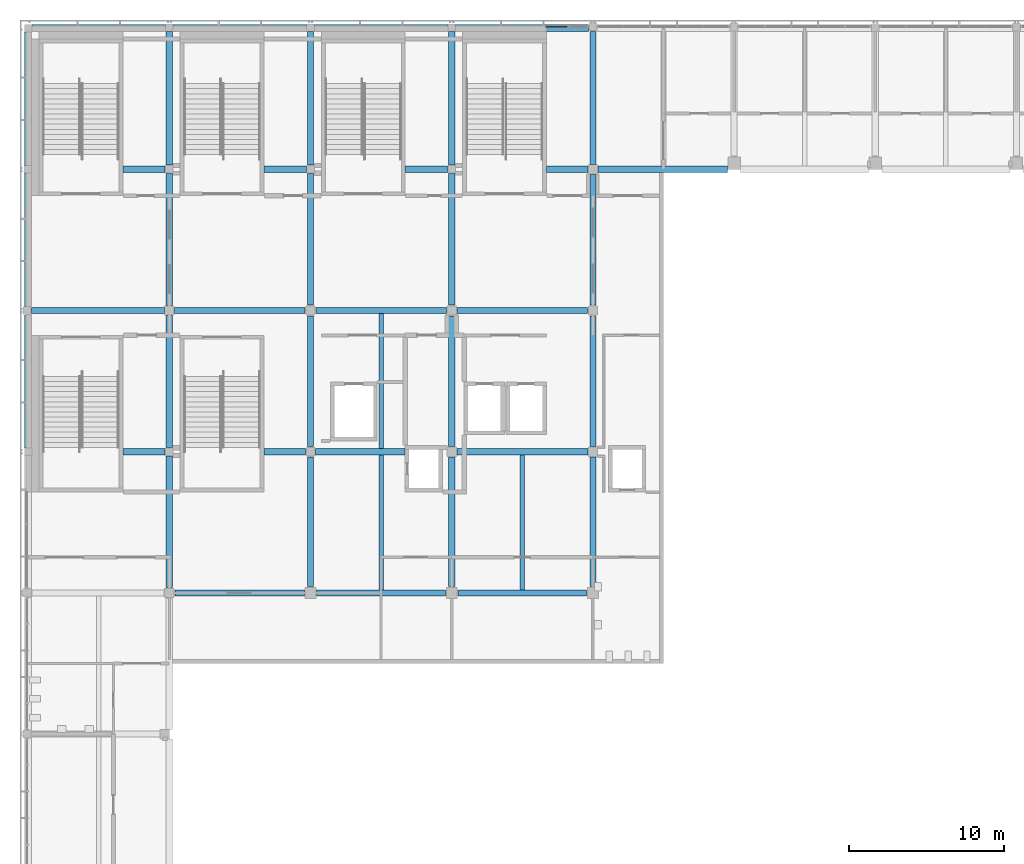
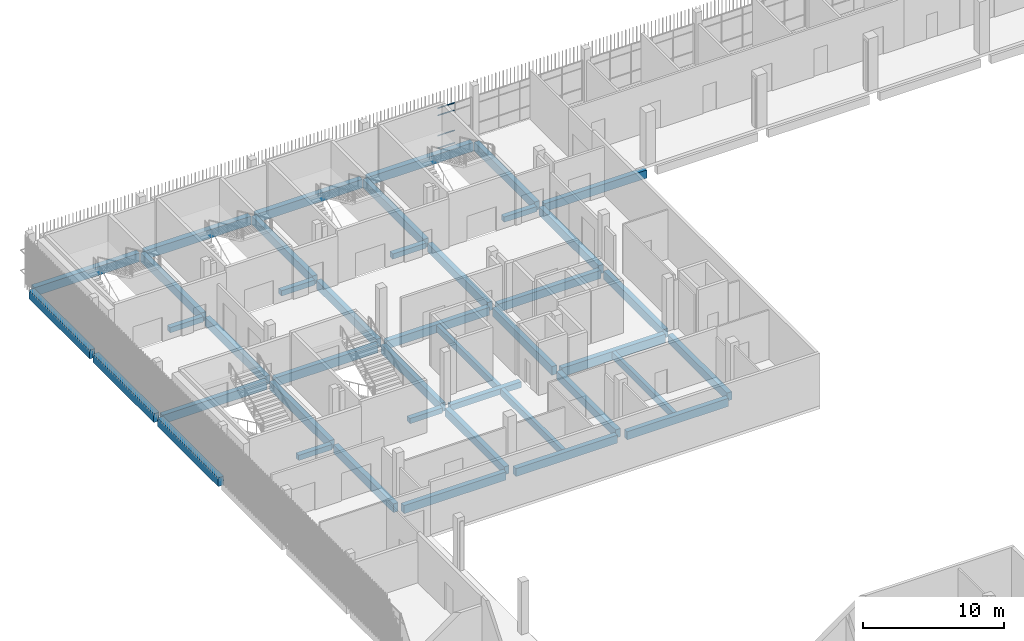
# One storey, part 31 of 124: 42 beams, 4 members, 1 element without a shape of its own.
"""IFC4 building model written with IfcOpenShell, lengths in metres."""

from ifc_helpers import new_model, si_unit, direction, frame, origin, origin_2d, place, context, subcontext, project, spatial, rectangle, hollow_rectangle, extrude, material, layer, layer_set, material_profile, profile_set, type_object, element, aggregate, save


model = new_model("IFC4")

# Units and contexts
model_context = context("Model", 3, precision=1e-05, world=origin(), true_north=direction((0.0, 1.0)))
body_context = subcontext(model_context, "Body", "Model", "MODEL_VIEW")
ifc_project = project(units=[si_unit("LENGTHUNIT", "METRE"), si_unit("AREAUNIT", "SQUARE_METRE"), si_unit("VOLUMEUNIT", "CUBIC_METRE"), si_unit("PLANEANGLEUNIT", "RADIAN"), si_unit("MASSUNIT", "GRAM", prefix="KILO")], contexts=[model_context])

# Site, building, storey
site_placement = place(None, origin())
site = spatial("IfcSite", under=ifc_project, at=site_placement, CompositionType="ELEMENT")
building_placement = place(site_placement, origin())
building = spatial("IfcBuilding", under=site, at=building_placement, Name="Shirokan Park Arena", CompositionType="ELEMENT")
storey_placement = place(building_placement, frame((0.0, 0.0, 20.02001953125)))
storey = spatial("IfcBuildingStorey", under=building, at=storey_placement, Name="L04", CompositionType="ELEMENT", Elevation=20.02001953125)

# Beams
ifc_material_1 = material(Name="Concrete C35", Category="concrete")
ifc_material_profile_1 = material_profile(ifc_material_1, rectangle(XDim=0.39990234375, YDim=0.5, at=origin_2d()), Name="400x500")
ifc_profile_set_1 = profile_set([ifc_material_profile_1], Name="Concrete C35")
beam_type_1 = type_object("IfcBeamType", Name="RC girder 400x500", PredefinedType="BEAM", material=ifc_profile_set_1)
beam_1_placement = place(storey_placement, frame((18.525146484375, 81.89990234375, -0.5), z_axis=(1.0, 0.0, 0.0), x_axis=(0.0, 1.0, 0.0)))
element("IfcBeam", 1, at=beam_1_placement, inside=storey, type_object=beam_type_1, Name="Girder 3K-4K L04", PredefinedType="BEAM", context=body_context, shape_type="SweptSolid", body=[
    extrude(rectangle(XDim=0.39990234375, YDim=0.5, at=origin_2d()), origin(), (0.0, 0.0, 1.0), 5.77490234375),
])
ifc_material_profile_2 = material_profile(ifc_material_1, rectangle(XDim=0.39990234375, YDim=0.699951171875, at=origin_2d()), Name="400x700")
ifc_profile_set_2 = profile_set([ifc_material_profile_2], Name="Concrete C35")
beam_type_2 = type_object("IfcBeamType", Name="RC girder 400x700", PredefinedType="BEAM", material=ifc_profile_set_2)
beam_2_placement = place(storey_placement, frame((9.4501953125, 72.800048828125, -0.60009765625), z_axis=(1.0, 0.0, 0.0), x_axis=(0.0, 1.0, 0.0)))
element("IfcBeam", 2, at=beam_2_placement, inside=storey, type_object=beam_type_2, Name="Girder 2J-3J L04", PredefinedType="BEAM", context=body_context, shape_type="SweptSolid", body=[
    extrude(rectangle(XDim=0.39990234375, YDim=0.699951171875, at=origin_2d()), origin(), (0.0, 0.0, 1.0), 8.349609375),
])
beam_3_placement = place(storey_placement, frame((18.60009765625, 72.800048828125, -0.60009765625), z_axis=(1.0, 0.0, 0.0), x_axis=(0.0, 1.0, 0.0)))
element("IfcBeam", 3, at=beam_3_placement, inside=storey, type_object=beam_type_2, Name="Girder 3J-4J L04", PredefinedType="BEAM", context=body_context, shape_type="SweptSolid", body=[
    extrude(rectangle(XDim=0.39990234375, YDim=0.699951171875, at=origin_2d()), origin(), (0.0, 0.0, 1.0), 8.2998046875),
])
beam_4_placement = place(storey_placement, frame((18.550048828125, 91.0, -0.60009765625), z_axis=(1.0, 0.0, 0.0), x_axis=(0.0, 1.0, 0.0)))
element("IfcBeam", 4, at=beam_4_placement, inside=storey, type_object=beam_type_2, Name="Girder 3L-4L L04", PredefinedType="BEAM", context=body_context, shape_type="SweptSolid", body=[
    extrude(rectangle(XDim=0.39990234375, YDim=0.699951171875, at=origin_2d()), origin(), (0.0, 0.0, 1.0), 8.39990234375),
])
beam_5_placement = place(storey_placement, frame((27.7001953125, 72.800048828125, -0.60009765625), z_axis=(1.0, 0.0, 0.0), x_axis=(0.0, 1.0, 0.0)))
element("IfcBeam", 5, at=beam_5_placement, inside=storey, type_object=beam_type_2, Name="Girder 4J-5J L04", PredefinedType="BEAM", context=body_context, shape_type="SweptSolid", body=[
    extrude(rectangle(XDim=0.39990234375, YDim=0.699951171875, at=origin_2d()), origin(), (0.0, 0.0, 1.0), 8.2998046875),
])
beam_6_placement = place(storey_placement, frame((27.650146484375, 91.0, -0.60009765625), z_axis=(1.0, 0.0, 0.0), x_axis=(0.0, 1.0, 0.0)))
element("IfcBeam", 6, at=beam_6_placement, inside=storey, type_object=beam_type_2, Name="Girder 4L-5L L04", PredefinedType="BEAM", context=body_context, shape_type="SweptSolid", body=[
    extrude(rectangle(XDim=0.39990234375, YDim=0.699951171875, at=origin_2d()), origin(), (0.0, 0.0, 1.0), 8.399658203125),
])
beam_7_placement = place(storey_placement, frame((36.72509765625, 100.10009765625, -0.60009765625), z_axis=(1.0, 0.0, 0.0), x_axis=(0.0, 1.0, 0.0)))
element("IfcBeam", 7, at=beam_7_placement, inside=storey, type_object=beam_type_2, Name="Girder 5M-6M L04", PredefinedType="BEAM", context=body_context, shape_type="SweptSolid", body=[
    extrude(rectangle(XDim=0.39990234375, YDim=0.699951171875, at=origin_2d()), origin(), (0.0, 0.0, 1.0), 8.349853515625),
])
for number, where, z_axis, x_axis, name in (
    (8, (18.199951171875, 73.2001953125, -0.60009765625), (0.0, 1.0, 0.0), (-1.0, 0.0, 0.0), "Girder 3J-3K L04"),
    (9, (27.300048828125, 73.2001953125, -0.60009765625), (0.0, 1.0, 0.0), (-1.0, 0.0, 0.0), "Girder 4J-4K L04"),
    (10, (36.39990234375, 73.2001953125, -0.60009765625), (0.0, 1.0, 0.0), (-1.0, 0.0, 0.0), "Girder 5J-5K L04"),
):
    element("IfcBeam", number, at=place(storey_placement, frame(where, z_axis=z_axis, x_axis=x_axis)), inside=storey, type_object=beam_type_2, Name=name, PredefinedType="BEAM", context=body_context, shape_type="SweptSolid", body=[
        extrude(rectangle(XDim=0.39990234375, YDim=0.699951171875, at=origin_2d()), origin(), (0.0, 0.0, 1.0), 8.374755859375),
    ])
ifc_material_profile_3 = material_profile(ifc_material_1, rectangle(XDim=0.39990234375, YDim=0.75, at=origin_2d()), Name="400x750")
ifc_profile_set_3 = profile_set([ifc_material_profile_3], Name="Concrete C35")
beam_type_3 = type_object("IfcBeamType", Name="RC girder 400x750", PredefinedType="BEAM", material=ifc_profile_set_3)
beam_8_placement = place(storey_placement, frame((0.22509765625, 91.0, -0.625), z_axis=(1.0, 0.0, 0.0), x_axis=(0.0, 1.0, 0.0)))
element("IfcBeam", 11, at=beam_8_placement, inside=storey, type_object=beam_type_3, Name="Girder 1L-2L L04", PredefinedType="BEAM", context=body_context, shape_type="SweptSolid", body=[
    extrude(rectangle(XDim=0.39990234375, YDim=0.75, at=origin_2d()), origin(), (0.0, 0.0, 1.0), 8.5498046875),
])
beam_9_placement = place(storey_placement, frame((9.425048828125, 91.0, -0.625), z_axis=(1.0, 0.0, 0.0), x_axis=(0.0, 1.0, 0.0)))
element("IfcBeam", 12, at=beam_9_placement, inside=storey, type_object=beam_type_3, Name="Girder 2L-3L L04", PredefinedType="BEAM", context=body_context, shape_type="SweptSolid", body=[
    extrude(rectangle(XDim=0.39990234375, YDim=0.75, at=origin_2d()), origin(), (0.0, 0.0, 1.0), 8.4248046875),
])
beam_10_placement = place(storey_placement, frame((27.625, 81.89990234375, -0.625), z_axis=(1.0, 0.0, 0.0), x_axis=(0.0, 1.0, 0.0)))
element("IfcBeam", 13, at=beam_10_placement, inside=storey, type_object=beam_type_3, Name="Girder 4K-5K L04", PredefinedType="BEAM", context=body_context, shape_type="SweptSolid", body=[
    extrude(rectangle(XDim=0.39990234375, YDim=0.75, at=origin_2d()), origin(), (0.0, 0.0, 1.0), 8.449951171875),
])
beam_11_placement = place(storey_placement, frame((9.10009765625, 73.150146484375, -0.625), z_axis=(0.0, 1.0, 0.0), x_axis=(-1.0, 0.0, 0.0)))
element("IfcBeam", 14, at=beam_11_placement, inside=storey, type_object=beam_type_3, Name="Girder 2J-2K L04", PredefinedType="BEAM", context=body_context, shape_type="SweptSolid", body=[
    extrude(rectangle(XDim=0.39990234375, YDim=0.75, at=origin_2d()), origin(), (0.0, 0.0, 1.0), 8.474853515625),
])
for number, where, z_axis, x_axis, name in (
    (15, (9.10009765625, 82.175048828125, -0.625), (0.0, 1.0, 0.0), (-1.0, 0.0, 0.0), "Girder 2K-2L L04"),
    (16, (9.10009765625, 91.3251953125, -0.625), (0.0, 1.0, 0.0), (-1.0, 0.0, 0.0), "Girder 2L-2M L04"),
):
    element("IfcBeam", number, at=place(storey_placement, frame(where, z_axis=z_axis, x_axis=x_axis)), inside=storey, type_object=beam_type_3, Name=name, PredefinedType="BEAM", context=body_context, shape_type="SweptSolid", body=[
        extrude(rectangle(XDim=0.39990234375, YDim=0.75, at=origin_2d()), origin(), (0.0, 0.0, 1.0), 8.499755859375),
    ])
beam_12_placement = place(storey_placement, frame((9.10009765625, 100.375, -0.625), z_axis=(0.0, 1.0, 0.0), x_axis=(-1.0, 0.0, 0.0)))
element("IfcBeam", 17, at=beam_12_placement, inside=storey, type_object=beam_type_3, Name="Girder 2M-2N L04", PredefinedType="BEAM", context=body_context, shape_type="SweptSolid", body=[
    extrude(rectangle(XDim=0.39990234375, YDim=0.75, at=origin_2d()), origin(), (0.0, 0.0, 1.0), 8.599853515625),
])
beam_13_placement = place(storey_placement, frame((18.199951171875, 82.22509765625, -0.625), z_axis=(0.0, 1.0, 0.0), x_axis=(-1.0, 0.0, 0.0)))
element("IfcBeam", 18, at=beam_13_placement, inside=storey, type_object=beam_type_3, Name="Girder 3K-3L L04", PredefinedType="BEAM", context=body_context, shape_type="SweptSolid", body=[
    extrude(rectangle(XDim=0.39990234375, YDim=0.75, at=origin_2d()), origin(), (0.0, 0.0, 1.0), 8.4248046875),
])
beam_14_placement = place(storey_placement, frame((18.199951171875, 91.35009765625, -0.625), z_axis=(0.0, 1.0, 0.0), x_axis=(-1.0, 0.0, 0.0)))
element("IfcBeam", 19, at=beam_14_placement, inside=storey, type_object=beam_type_3, Name="Girder 3L-3M L04", PredefinedType="BEAM", context=body_context, shape_type="SweptSolid", body=[
    extrude(rectangle(XDim=0.39990234375, YDim=0.75, at=origin_2d()), origin(), (0.0, 0.0, 1.0), 8.474853515625),
])
beam_15_placement = place(storey_placement, frame((18.199951171875, 100.375, -0.625), z_axis=(0.0, 1.0, 0.0), x_axis=(-1.0, 0.0, 0.0)))
element("IfcBeam", 20, at=beam_15_placement, inside=storey, type_object=beam_type_3, Name="Girder 3M-3N L04", PredefinedType="BEAM", context=body_context, shape_type="SweptSolid", body=[
    extrude(rectangle(XDim=0.39990234375, YDim=0.75, at=origin_2d()), origin(), (0.0, 0.0, 1.0), 8.599853515625),
])
beam_16_placement = place(storey_placement, frame((27.300048828125, 82.22509765625, -0.625), z_axis=(0.0, 1.0, 0.0), x_axis=(-1.0, 0.0, 0.0)))
element("IfcBeam", 21, at=beam_16_placement, inside=storey, type_object=beam_type_3, Name="Girder 4K-4L L04", PredefinedType="BEAM", context=body_context, shape_type="SweptSolid", body=[
    extrude(rectangle(XDim=0.39990234375, YDim=0.75, at=origin_2d()), origin(), (0.0, 0.0, 1.0), 8.4248046875),
])
beam_17_placement = place(storey_placement, frame((27.300048828125, 91.35009765625, -0.625), z_axis=(0.0, 1.0, 0.0), x_axis=(-1.0, 0.0, 0.0)))
element("IfcBeam", 22, at=beam_17_placement, inside=storey, type_object=beam_type_3, Name="Girder 4L-4M L04", PredefinedType="BEAM", context=body_context, shape_type="SweptSolid", body=[
    extrude(rectangle(XDim=0.39990234375, YDim=0.75, at=origin_2d()), origin(), (0.0, 0.0, 1.0), 8.474853515625),
])
beam_18_placement = place(storey_placement, frame((27.300048828125, 100.375, -0.625), z_axis=(0.0, 1.0, 0.0), x_axis=(-1.0, 0.0, 0.0)))
element("IfcBeam", 23, at=beam_18_placement, inside=storey, type_object=beam_type_3, Name="Girder 4M-4N L04", PredefinedType="BEAM", context=body_context, shape_type="SweptSolid", body=[
    extrude(rectangle(XDim=0.39990234375, YDim=0.75, at=origin_2d()), origin(), (0.0, 0.0, 1.0), 8.599853515625),
])
for number, where, z_axis, x_axis, name in (
    (24, (36.39990234375, 82.22509765625, -0.625), (0.0, 1.0, 0.0), (-1.0, 0.0, 0.0), "Girder 5K-5L L04"),
    (25, (36.39990234375, 91.35009765625, -0.625), (0.0, 1.0, 0.0), (-1.0, 0.0, 0.0), "Girder 5L-5M L04"),
):
    element("IfcBeam", number, at=place(storey_placement, frame(where, z_axis=z_axis, x_axis=x_axis)), inside=storey, type_object=beam_type_3, Name=name, PredefinedType="BEAM", context=body_context, shape_type="SweptSolid", body=[
        extrude(rectangle(XDim=0.39990234375, YDim=0.75, at=origin_2d()), origin(), (0.0, 0.0, 1.0), 8.4248046875),
    ])
beam_19_placement = place(storey_placement, frame((36.39990234375, 100.425048828125, -0.625), z_axis=(0.0, 1.0, 0.0), x_axis=(-1.0, 0.0, 0.0)))
element("IfcBeam", 26, at=beam_19_placement, inside=storey, type_object=beam_type_3, Name="Girder 5M-5N L04", PredefinedType="BEAM", context=body_context, shape_type="SweptSolid", body=[
    extrude(rectangle(XDim=0.39990234375, YDim=0.75, at=origin_2d()), origin(), (0.0, 0.0, 1.0), 8.574951171875),
])
ifc_material_profile_4 = material_profile(ifc_material_1, rectangle(XDim=0.449951171875, YDim=0.75, at=origin_2d()), Name="450x750")
ifc_profile_set_4 = profile_set([ifc_material_profile_4], Name="Concrete C35")
beam_type_4 = type_object("IfcBeamType", Name="RC girder 450x750", PredefinedType="BEAM", material=ifc_profile_set_4)
for number, where, z_axis, x_axis, name in (
    (27, (0.25, 109.199951171875, -0.625), (1.0, 0.0, 0.0), (0.0, 1.0, 0.0), "Girder 1N-2N L04"),
    (28, (9.35009765625, 109.199951171875, -0.625), (1.0, 0.0, 0.0), (0.0, 1.0, 0.0), "Girder 2N-3N L04"),
):
    element("IfcBeam", number, at=place(storey_placement, frame(where, z_axis=z_axis, x_axis=x_axis)), inside=storey, type_object=beam_type_4, Name=name, PredefinedType="BEAM", context=body_context, shape_type="SweptSolid", body=[
        extrude(rectangle(XDim=0.449951171875, YDim=0.75, at=origin_2d()), origin(), (0.0, 0.0, 1.0), 8.599853515625),
    ])
beam_20_placement = place(storey_placement, frame((18.4501953125, 109.199951171875, -0.625), z_axis=(1.0, 0.0, 0.0), x_axis=(0.0, 1.0, 0.0)))
element("IfcBeam", 29, at=beam_20_placement, inside=storey, type_object=beam_type_4, Name="Girder 3N-4N L04", PredefinedType="BEAM", context=body_context, shape_type="SweptSolid", body=[
    extrude(rectangle(XDim=0.449951171875, YDim=0.75, at=origin_2d()), origin(), (0.0, 0.0, 1.0), 8.599609375),
])
beam_21_placement = place(storey_placement, frame((27.550048828125, 109.199951171875, -0.625), z_axis=(1.0, 0.0, 0.0), x_axis=(0.0, 1.0, 0.0)))
element("IfcBeam", 30, at=beam_21_placement, inside=storey, type_object=beam_type_4, Name="Girder 4N-5N L04", PredefinedType="BEAM", context=body_context, shape_type="SweptSolid", body=[
    extrude(rectangle(XDim=0.449951171875, YDim=0.75, at=origin_2d()), origin(), (0.0, 0.0, 1.0), 8.574951171875),
])
for number, where, z_axis, x_axis, name in (
    (31, (0.0, 82.150146484375, -0.625), (0.0, 1.0, 0.0), (-1.0, 0.0, 0.0), "Girder 1K-1L L04"),
    (32, (0.0, 91.275146484375, -0.625), (0.0, 1.0, 0.0), (-1.0, 0.0, 0.0), "Girder 1L-1M L04"),
):
    element("IfcBeam", number, at=place(storey_placement, frame(where, z_axis=z_axis, x_axis=x_axis)), inside=storey, type_object=beam_type_4, Name=name, PredefinedType="BEAM", context=body_context, shape_type="SweptSolid", body=[
        extrude(rectangle(XDim=0.449951171875, YDim=0.75, at=origin_2d()), origin(), (0.0, 0.0, 1.0), 8.57470703125),
    ])
beam_22_placement = place(storey_placement, frame((0.0, 100.35009765625, -0.625), z_axis=(0.0, 1.0, 0.0), x_axis=(-1.0, 0.0, 0.0)))
element("IfcBeam", 33, at=beam_22_placement, inside=storey, type_object=beam_type_4, Name="Girder 1M-1N L04", PredefinedType="BEAM", context=body_context, shape_type="SweptSolid", body=[
    extrude(rectangle(XDim=0.449951171875, YDim=0.75, at=origin_2d()), origin(), (0.0, 0.0, 1.0), 8.599853515625),
])
ifc_material_profile_5 = material_profile(ifc_material_1, rectangle(XDim=0.300048828125, YDim=0.60009765625, at=origin_2d()), Name="300x600")
ifc_profile_set_5 = profile_set([ifc_material_profile_5], Name="Concrete C35")
beam_type_5 = type_object("IfcBeamType", Name="RC joist 300x600", PredefinedType="JOIST", material=ifc_profile_set_5)
for number, where, z_axis, x_axis, name in (
    (34, (22.75, 73.0, -0.550048828125), (0.0, 1.0, 0.0), (-1.0, 0.0, 0.0), "Joist 3J L04"),
    (35, (22.75, 82.10009765625, -0.550048828125), (0.0, 1.0, 0.0), (-1.0, 0.0, 0.0), "Joist 3K L04"),
    (36, (31.85009765625, 73.0, -0.550048828125), (0.0, 1.0, 0.0), (-1.0, 0.0, 0.0), "Joist 5J L04"),
):
    element("IfcBeam", number, at=place(storey_placement, frame(where, z_axis=z_axis, x_axis=x_axis)), inside=storey, type_object=beam_type_5, Name=name, PredefinedType="JOIST", context=body_context, shape_type="SweptSolid", body=[
        extrude(rectangle(XDim=0.300048828125, YDim=0.60009765625, at=origin_2d()), origin(), (0.0, 0.0, 1.0), 8.699951171875),
    ])
ifc_material_profile_6 = material_profile(ifc_material_1, rectangle(XDim=0.39990234375, YDim=0.449951171875, at=origin_2d()), Name="400x450")
ifc_profile_set_6 = profile_set([ifc_material_profile_6], Name="Concrete C35")
beam_type_6 = type_object("IfcBeamType", Name="RC trimmer 400x450", PredefinedType="BEAM", material=ifc_profile_set_6)
for number, where, z_axis, x_axis, name in (
    (37, (6.10009765625, 81.89990234375, -0.47509765625), (1.0, 0.0, 0.0), (0.0, 1.0, 0.0), "Girder 1K-2K L04"),
    (38, (6.10009765625, 100.10009765625, -0.47509765625), (1.0, 0.0, 0.0), (0.0, 1.0, 0.0), "Girder 1M-2M L04"),
):
    element("IfcBeam", number, at=place(storey_placement, frame(where, z_axis=z_axis, x_axis=x_axis)), inside=storey, type_object=beam_type_6, Name=name, PredefinedType="BEAM", context=body_context, shape_type="SweptSolid", body=[
        extrude(rectangle(XDim=0.39990234375, YDim=0.449951171875, at=origin_2d()), origin(), (0.0, 0.0, 1.0), 2.724853515625),
    ])
beam_23_placement = place(storey_placement, frame((15.199951171875, 81.89990234375, -0.47509765625), z_axis=(1.0, 0.0, 0.0), x_axis=(0.0, 1.0, 0.0)))
element("IfcBeam", 39, at=beam_23_placement, inside=storey, type_object=beam_type_6, Name="Girder 2K-3K L04", PredefinedType="BEAM", context=body_context, shape_type="SweptSolid", body=[
    extrude(rectangle(XDim=0.39990234375, YDim=0.449951171875, at=origin_2d()), origin(), (0.0, 0.0, 1.0), 2.675048828125),
])
for number, where, z_axis, x_axis, name in (
    (40, (15.199951171875, 100.10009765625, -0.47509765625), (1.0, 0.0, 0.0), (0.0, 1.0, 0.0), "Girder 2M-3M L04"),
    (41, (24.300048828125, 100.10009765625, -0.47509765625), (1.0, 0.0, 0.0), (0.0, 1.0, 0.0), "Girder 3M-4M L04"),
):
    element("IfcBeam", number, at=place(storey_placement, frame(where, z_axis=z_axis, x_axis=x_axis)), inside=storey, type_object=beam_type_6, Name=name, PredefinedType="BEAM", context=body_context, shape_type="SweptSolid", body=[
        extrude(rectangle(XDim=0.39990234375, YDim=0.449951171875, at=origin_2d()), origin(), (0.0, 0.0, 1.0), 2.724853515625),
    ])
beam_24_placement = place(storey_placement, frame((33.39990234375, 100.10009765625, -0.47509765625), z_axis=(1.0, 0.0, 0.0), x_axis=(0.0, 1.0, 0.0)))
element("IfcBeam", 42, at=beam_24_placement, inside=storey, type_object=beam_type_6, Name="Girder 4M-5M L04", PredefinedType="BEAM", context=body_context, shape_type="SweptSolid", body=[
    extrude(rectangle(XDim=0.39990234375, YDim=0.449951171875, at=origin_2d()), origin(), (0.0, 0.0, 1.0), 2.675048828125),
])

# Curtain wall, members
ifc_material_2 = material(Name="Steel and glass curtain wall", Category="steel")
ifc_layer = layer(ifc_material_2, 0.1201171875)
ifc_layer_set = layer_set([ifc_layer], Name="Steel and glass curtain wall 120 mm")
curtain_wall_type = type_object("IfcCurtainWallType", Name="Curtain wall corner block side bay 120", PredefinedType="NOTDEFINED", material=ifc_layer_set)
curtain_wall_placement = place(storey_placement, origin())
curtain_wall = element("IfcCurtainWall", 43, at=curtain_wall_placement, inside=storey, type_object=curtain_wall_type, Name="Curtain wall north bay 13 L04", PredefinedType="NOTDEFINED")
ifc_material_3 = material(Name="Steel S355", Category="steel")
ifc_material_profile_7 = material_profile(ifc_material_3, hollow_rectangle(XDim=0.06005859375, YDim=0.0400390625, WallThickness=0.00390625, at=origin_2d()), Name="RHS 60x40x4")
ifc_profile_set_7 = profile_set([ifc_material_profile_7], Name="Steel S355")
member_type = type_object("IfcMemberType", Name="Transom RHS 60x40x4", PredefinedType="MULLION", material=ifc_profile_set_7)
member_1_placement = place(storey_placement, frame((34.75, 109.2900390625, 0.02001953125), z_axis=(-1.0, 0.0, 0.0), x_axis=(0.0, -1.0, 0.0)))
member_1 = element("IfcMember", 44, at=member_1_placement, type_object=member_type, Name="CW3 transom 2.1", PredefinedType="MULLION", context=body_context, shape_type="SweptSolid", body=[
    extrude(hollow_rectangle(XDim=0.06005859375, YDim=0.0400390625, WallThickness=0.00390625, at=origin_2d()), origin(), (0.0, 0.0, 1.0), 1.35009765625),
])
member_2_placement = place(storey_placement, frame((34.75, 109.2900390625, 1.10009765625), z_axis=(-1.0, 0.0, 0.0), x_axis=(0.0, -1.0, 0.0)))
member_2 = element("IfcMember", 45, at=member_2_placement, type_object=member_type, Name="CW3 transom 2.2", PredefinedType="MULLION", context=body_context, shape_type="SweptSolid", body=[
    extrude(hollow_rectangle(XDim=0.06005859375, YDim=0.0400390625, WallThickness=0.00390625, at=origin_2d()), origin(), (0.0, 0.0, 1.0), 1.35009765625),
])
member_3_placement = place(storey_placement, frame((34.75, 109.2900390625, 2.85009765625), z_axis=(-1.0, 0.0, 0.0), x_axis=(0.0, -1.0, 0.0)))
member_3 = element("IfcMember", 46, at=member_3_placement, type_object=member_type, Name="CW3 transom 2.3", PredefinedType="MULLION", context=body_context, shape_type="SweptSolid", body=[
    extrude(hollow_rectangle(XDim=0.06005859375, YDim=0.0400390625, WallThickness=0.00390625, at=origin_2d()), origin(), (0.0, 0.0, 1.0), 1.35009765625),
])
member_4_placement = place(storey_placement, frame((34.75, 109.2900390625, 3.47998046875), z_axis=(-1.0, 0.0, 0.0), x_axis=(0.0, -1.0, 0.0)))
member_4 = element("IfcMember", 47, at=member_4_placement, type_object=member_type, Name="CW3 transom 2.4", PredefinedType="MULLION", context=body_context, shape_type="SweptSolid", body=[
    extrude(hollow_rectangle(XDim=0.06005859375, YDim=0.0400390625, WallThickness=0.00390625, at=origin_2d()), origin(), (0.0, 0.0, 1.0), 1.35009765625),
])
aggregate(curtain_wall, [member_1, member_2, member_3, member_4])

save(model, "model.ifc")
